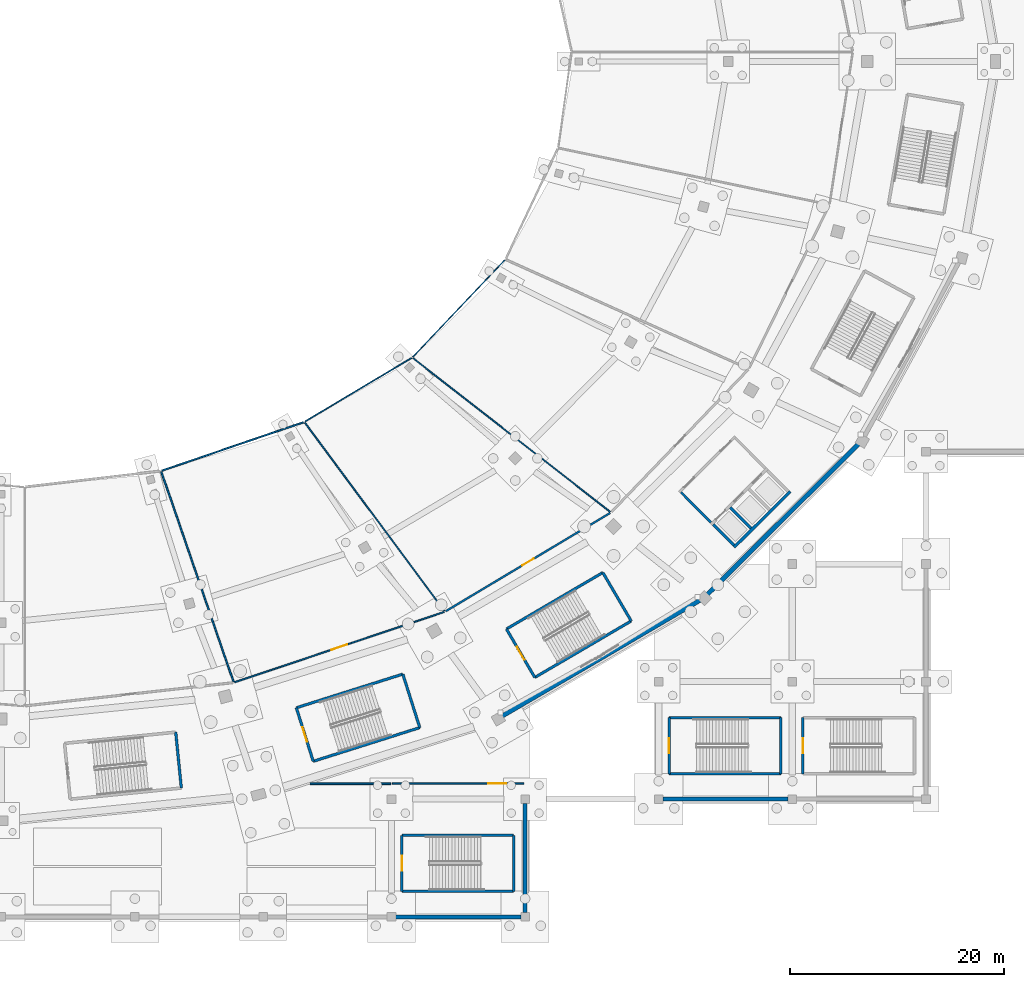
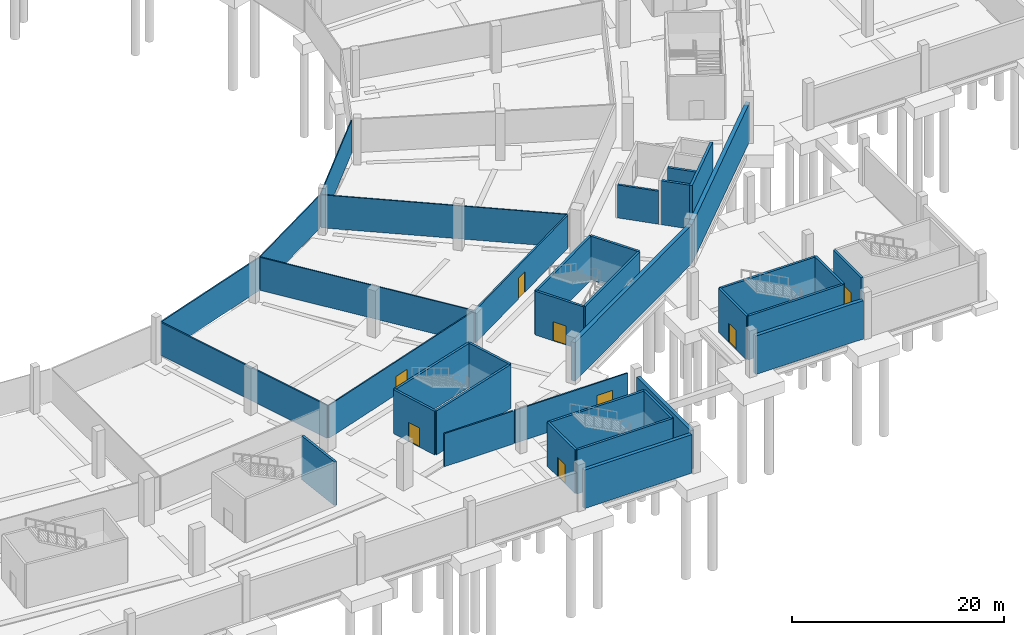
# One storey, part 39 of 74: 37 walls, 8 doors, 8 openings.
"""IFC4 building model written with IfcOpenShell, lengths in metres."""

from ifc_helpers import new_model, si_unit, direction, frame, frame_2d, origin, place, context, subcontext, project, spatial, rectangle, extrude, material, layer, layer_set, type_object, element, fill, save


model = new_model("IFC4")

# Units and contexts
model_context = context("Model", 3, precision=1e-05, world=origin(), true_north=direction((0.0, 1.0)))
body_context = subcontext(model_context, "Body", "Model", "MODEL_VIEW")
ifc_project = project(units=[si_unit("LENGTHUNIT", "METRE"), si_unit("AREAUNIT", "SQUARE_METRE"), si_unit("VOLUMEUNIT", "CUBIC_METRE"), si_unit("PLANEANGLEUNIT", "RADIAN"), si_unit("MASSUNIT", "GRAM", prefix="KILO")], contexts=[model_context])

# Site, building, storey
site_placement = place(None, origin())
site = spatial("IfcSite", under=ifc_project, at=site_placement, CompositionType="ELEMENT")
building_placement = place(site_placement, origin())
building = spatial("IfcBuilding", under=site, at=building_placement, Name="Zlatoyarsky Gate Stadium", CompositionType="ELEMENT")
storey_placement = place(building_placement, frame((0.0, 0.0, -5.39990234375)))
storey = spatial("IfcBuildingStorey", under=building, at=storey_placement, Name="B1", CompositionType="ELEMENT", Elevation=-5.39990234375)

# Walls
ifc_material_1 = material(Name="Anodised aluminium acoustic operable wall", Category="aluminium")
ifc_layer_1 = layer(ifc_material_1, 0.114990234375)
ifc_layer_set_1 = layer_set([ifc_layer_1], Name="Anodised aluminium acoustic operable wall")
wall_type_1 = type_object("IfcWallType", Name="ACOUSTIC OPERABLE SUITE WALL 115", PredefinedType="MOVABLE", material=ifc_layer_set_1)
wall_1_placement = place(storey_placement, frame((149.506103515625, 52.256591796875, 0.0), z_axis=(0.0, 0.0, 1.0), x_axis=(0.788723234395, -0.614748452235, 0.0)))
element("IfcWall", 1, at=wall_1_placement, inside=storey, type_object=wall_type_1, Name="B1 interior partition PRT-B1-IRD-21", PredefinedType="MOVABLE", context=body_context, shape_type="SweptSolid", body=[
    extrude(rectangle(XDim=23.403076171875, YDim=0.114990234375, at=frame_2d((11.70166015625, 0.0))), origin(), (0.0, 0.0, 1.0), 3.7998046875),
])
ifc_material_2 = material(Name="Moisture-resistant masonry partition", Category="masonry")
ifc_layer_2 = layer(ifc_material_2, 0.139892578125)
ifc_layer_set_2 = layer_set([ifc_layer_2], Name="Moisture-resistant masonry partition")
wall_type_2 = type_object("IfcWallType", Name="ATHLETE CHANGING BLOCK PARTITION 140", PredefinedType="PARTITIONING", material=ifc_layer_set_2)
wall_2_placement = place(storey_placement, frame((126.025634765625, 41.730712890625, 0.0), z_axis=(0.0, 0.0, 1.0), x_axis=(0.946404215371, 0.322984614382, 0.0)))
element("IfcWall", 2, at=wall_2_placement, inside=storey, type_object=wall_type_2, Name="B1 interior partition PRT-B1-IRN-19", PredefinedType="PARTITIONING", context=body_context, shape_type="SweptSolid", body=[
    extrude(rectangle(XDim=13.9990234375, YDim=0.139892578125, at=frame_2d((6.99951171875, 0.0))), origin(), (0.0, 0.0, 1.0), 3.7998046875),
])
ifc_material_3 = material(Name="Metal-stud gypsum partition", Category="gypsum")
ifc_layer_3 = layer(ifc_material_3, 0.14990234375)
ifc_layer_set_3 = layer_set([ifc_layer_3], Name="Metal-stud gypsum partition")
wall_type_3 = type_object("IfcWallType", Name="CONCOURSE CORRIDOR PARTITION 150", PredefinedType="PARTITIONING", material=ifc_layer_set_3)
wall_3_placement = place(storey_placement, frame((125.972900390625, 41.622802734375, 0.0), z_axis=(0.0, 0.0, 1.0), x_axis=(0.325102770546, -0.945678692043, 0.0)))
element("IfcWall", 3, at=wall_3_placement, inside=storey, type_object=wall_type_3, Name="B1 interior partition PRT-B1-IRD-19", PredefinedType="PARTITIONING", context=body_context, shape_type="SweptSolid", body=[
    extrude(rectangle(XDim=20.76416015625, YDim=0.14990234375, at=frame_2d((10.382080078125, 0.0))), origin(), (0.0, 0.0, 1.0), 3.7998046875),
])

# Wall, opening, door
wall_4_placement = place(storey_placement, frame((147.5849609375, 12.449951171875, 0.0), z_axis=(0.0, 0.0, 1.0), x_axis=(1.0, 0.0, 0.0)))
wall_4 = element("IfcWall", 4, at=wall_4_placement, inside=storey, type_object=wall_type_3, Name="B1 interior partition PRT-B1-V3SC-NE2B", PredefinedType="PARTITIONING", context=body_context, shape_type="SweptSolid", body=[
    extrude(rectangle(XDim=12.31005859375, YDim=0.14990234375, at=frame_2d((6.155029296875, 0.0))), origin(), (0.0, 0.0, 1.0), 3.7998046875),
])
opening_1_placement = place(wall_4_placement, frame((8.9599609375, 0.0, 0.0)))
opening_1 = element("IfcOpeningElement", 5, at=opening_1_placement, cuts=wall_4, Name="Opening D-B1-102", PredefinedType="OPENING", context=body_context, shape_type="SweptSolid", body=[
    extrude(rectangle(XDim=1.679931640625, YDim=2.3798828125, at=frame_2d((0.83984375, 1.18994140625))), frame((0.0, 0.0849609375, 0.0), z_axis=(0.0, -1.0, 0.0), x_axis=(1.0, 0.0, 0.0)), (0.0, 0.0, 1.0), 0.169921875),
])
ifc_material_4 = material(Name="Powder-coated steel fire door", Category="steel")
door_type_1 = type_object("IfcDoorType", Name="ACOUSTIC INTERIOR DOOR 1680X2380", OperationType="NOTDEFINED", PredefinedType="DOOR", material=ifc_material_4)
door_1_placement = place(opening_1_placement, origin())
door_1 = element("IfcDoor", 6, at=door_1_placement, inside=storey, type_object=door_type_1, Name="B1 room door D-B1-102", OperationType="SINGLE_SWING_RIGHT", OverallHeight=2.3798828125, OverallWidth=1.679931640625, PredefinedType="DOOR", context=body_context, shape_type="SweptSolid", body=[
    extrude(rectangle(XDim=1.679931640625, YDim=2.3798828125, at=frame_2d((0.83984375, 1.18994140625))), frame((0.0, 0.02490234375, 0.0), z_axis=(0.0, -1.0, 0.0), x_axis=(1.0, 0.0, 0.0)), (0.0, 0.0, 1.0), 0.050048828125),
])
fill(opening_1, door_1)

# Walls
ifc_material_5 = material(Name="Concrete C35/45", Category="concrete")
ifc_layer_4 = layer(ifc_material_5, 0.419921875)
ifc_layer_set_4 = layer_set([ifc_layer_4], Name="Concrete C35/45")
wall_type_4 = type_object("IfcWallType", Name="CONCRETE BASEMENT RETAINING WALL 420", PredefinedType="SOLIDWALL", material=ifc_layer_set_4)
wall_5_placement = place(storey_placement, frame((157.47509765625, 18.555419921875, 0.0), z_axis=(0.0, 0.0, 1.0), x_axis=(0.862881315776, 0.505406603523, 0.0)))
element("IfcWall", 7, at=wall_5_placement, inside=storey, type_object=wall_type_4, Name="B1 perimeter retaining wall sector 20", PredefinedType="SOLIDWALL", context=body_context, shape_type="SweptSolid", body=[
    extrude(rectangle(XDim=22.3095703125, YDim=0.419921875, at=frame_2d((11.15478515625, 0.0))), origin(), (0.0, 0.0, 1.0), 4.449951171875),
])
wall_6_placement = place(storey_placement, frame((176.7255859375, 29.830810546875, 0.0), z_axis=(0.0, 0.0, 1.0), x_axis=(0.708961581499, 0.705247102765, 0.0)))
element("IfcWall", 8, at=wall_6_placement, inside=storey, type_object=wall_type_4, Name="B1 perimeter retaining wall sector 21", PredefinedType="SOLIDWALL", context=body_context, shape_type="SweptSolid", body=[
    extrude(rectangle(XDim=20.83544921875, YDim=0.419921875, at=frame_2d((10.417724609375, 0.0))), origin(), (0.0, 0.0, 1.0), 4.449951171875),
])
ifc_material_6 = material(Name="Concrete C40/50", Category="concrete")
ifc_layer_5 = layer(ifc_material_6, 0.27001953125)
ifc_layer_set_5 = layer_set([ifc_layer_5], Name="Concrete C40/50")
wall_type_5 = type_object("IfcWallType", Name="CONCRETE LIFT SHAFT SHEAR WALL 270", PredefinedType="SHEAR", material=ifc_layer_set_5)
wall_7_placement = place(storey_placement, frame((179.547119140625, 34.556396484375, 0.0), z_axis=(0.0, 0.0, 1.0), x_axis=(0.708902567846, 0.705306422274, 0.0)))
element("IfcWall", 9, at=wall_7_placement, inside=storey, type_object=wall_type_5, Name="C4 B1 lift shaft rear wall", PredefinedType="SHEAR", context=body_context, shape_type="SweptSolid", body=[
    extrude(rectangle(XDim=7.39990234375, YDim=0.27001953125, at=frame_2d((3.699951171875, 0.0))), origin(), (0.0, 0.0, 1.0), 5.0498046875),
])
for number, where, z_axis, x_axis, name in (
    (10, (179.54052734375, 34.75439453125, 0.0), (0.0, 0.0, 1.0), (-0.705322518225, 0.708886553183, 0.0), "C4 B1 lift shaft left wall"),
    (11, (181.12841796875, 36.334228515625, 0.0), (0.0, 0.0, 1.0), (-0.705322518225, 0.708886553183, 0.0), "C4 B1 lift shaft divider 1"),
):
    element("IfcWall", number, at=place(storey_placement, frame(where, z_axis=z_axis, x_axis=x_axis)), inside=storey, type_object=wall_type_5, Name=name, PredefinedType="SHEAR", context=body_context, shape_type="SweptSolid", body=[
        extrude(rectangle(XDim=2.739990234375, YDim=0.27001953125, at=frame_2d((1.3701171875, 0.0))), origin(), (0.0, 0.0, 1.0), 5.0498046875),
    ])
ifc_layer_6 = layer(ifc_material_5, 0.3798828125)
ifc_layer_set_6 = layer_set([ifc_layer_6], Name="Concrete C35/45")
wall_type_6 = type_object("IfcWallType", Name="CONCRETE RAMP RETAINING WALL 380", PredefinedType="SOLIDWALL", material=ifc_layer_set_6)
wall_8_placement = place(storey_placement, frame((147.89697265625, 0.0, 0.0), z_axis=(0.0, 0.0, 1.0), x_axis=(1.0, 0.0, 0.0)))
element("IfcWall", 12, at=wall_8_placement, inside=storey, type_object=wall_type_6, Name="V3_SOUTH B1 S exterior wall", PredefinedType="SOLIDWALL", context=body_context, shape_type="SweptSolid", body=[
    extrude(rectangle(XDim=11.7060546875, YDim=0.3798828125, at=frame_2d((5.85302734375, 0.0))), origin(), (0.0, 0.0, 1.0), 4.429931640625),
])
wall_9_placement = place(storey_placement, frame((160.0, 0.39697265625, 0.0), z_axis=(0.0, 0.0, 1.0), x_axis=(0.0, 1.0, 0.0)))
element("IfcWall", 13, at=wall_9_placement, inside=storey, type_object=wall_type_6, Name="V3_SOUTH B1 E exterior wall", PredefinedType="SOLIDWALL", context=body_context, shape_type="SweptSolid", body=[
    extrude(rectangle(XDim=10.2060546875, YDim=0.3798828125, at=frame_2d((5.10302734375, 0.0))), origin(), (0.0, 0.0, 1.0), 4.429931640625),
])
wall_10_placement = place(storey_placement, frame((172.89697265625, 11.0, 0.0), z_axis=(0.0, 0.0, 1.0), x_axis=(1.0, 0.0, 0.0)))
element("IfcWall", 14, at=wall_10_placement, inside=storey, type_object=wall_type_6, Name="V6_SE B1 S exterior wall", PredefinedType="SOLIDWALL", context=body_context, shape_type="SweptSolid", body=[
    extrude(rectangle(XDim=11.7060546875, YDim=0.3798828125, at=frame_2d((5.85302734375, 0.0))), origin(), (0.0, 0.0, 1.0), 4.429931640625),
])
ifc_layer_7 = layer(ifc_material_6, 0.25)
ifc_layer_set_7 = layer_set([ifc_layer_7], Name="Concrete C40/50")
wall_type_7 = type_object("IfcWallType", Name="CONCRETE STAIR CORE SHEAR WALL 250", PredefinedType="SHEAR", material=ifc_layer_set_7)
wall_11_placement = place(storey_placement, frame((127.84423828125, 12.04248046875, 0.0), z_axis=(0.0, 0.0, 1.0), x_axis=(-0.100028593886, 0.994984562898, 0.0)))
element("IfcWall", 15, at=wall_11_placement, inside=storey, type_object=wall_type_7, Name="ST-10 B1 stair core far shear wall", PredefinedType="SHEAR", context=body_context, shape_type="SweptSolid", body=[
    extrude(rectangle(XDim=5.25, YDim=0.25, at=frame_2d((2.625, 0.0))), origin(), (0.0, 0.0, 1.0), 5.0498046875),
])

# Wall, opening, door
wall_12_placement = place(storey_placement, frame((158.25341796875, 26.916015625, 0.0), z_axis=(0.0, 0.0, 1.0), x_axis=(0.505460490551, -0.862849750821, 0.0)))
wall_12 = element("IfcWall", 16, at=wall_12_placement, inside=storey, type_object=wall_type_7, Name="ST-11 B1 stair core entrance shear wall", PredefinedType="SHEAR", context=body_context, shape_type="SweptSolid", body=[
    extrude(rectangle(XDim=5.249755859375, YDim=0.25, at=frame_2d((2.625, 0.0))), origin(), (0.0, 0.0, 1.0), 5.0498046875),
])
opening_2_placement = place(wall_12_placement, frame((1.925048828125, 0.0, 0.0)))
opening_2 = element("IfcOpeningElement", 17, at=opening_2_placement, cuts=wall_12, Name="Opening SD-ST-11-B1", PredefinedType="OPENING", context=body_context, shape_type="SweptSolid", body=[
    extrude(rectangle(XDim=1.39990234375, YDim=2.199951171875, at=frame_2d((0.699951171875, 1.10009765625))), frame((0.0, 0.135009765625, 0.0), z_axis=(0.0, -1.0, 0.0), x_axis=(1.0, 0.0, 0.0)), (0.0, 0.0, 1.0), 0.27001953125),
])
door_type_2 = type_object("IfcDoorType", Name="STAIR CORE FIRE EXIT DOOR 1400X2200", OperationType="NOTDEFINED", PredefinedType="DOOR", material=ifc_material_4)
door_2_placement = place(opening_2_placement, frame((1.39990234375, 0.0, 0.0), z_axis=(0.0, 0.0, 1.0), x_axis=(-1.0, 0.0, 0.0)))
door_2 = element("IfcDoor", 18, at=door_2_placement, inside=storey, type_object=door_type_2, Name="ST-11 B1 stair fire door", OperationType="SINGLE_SWING_LEFT", OverallHeight=2.199951171875, OverallWidth=1.39990234375, PredefinedType="DOOR", context=body_context, shape_type="SweptSolid", body=[
    extrude(rectangle(XDim=1.39990234375, YDim=2.199951171875, at=frame_2d((0.699951171875, 1.10009765625))), frame((0.0, 0.02490234375, 0.0), z_axis=(0.0, -1.0, 0.0), x_axis=(1.0, 0.0, 0.0)), (0.0, 0.0, 1.0), 0.050048828125),
])
fill(opening_2, door_2)

# Walls
wall_13_placement = place(storey_placement, frame((160.906982421875, 22.38623046875, 0.0), z_axis=(0.0, 0.0, 1.0), x_axis=(0.862854686184, 0.505452065513, 0.0)))
element("IfcWall", 19, at=wall_13_placement, inside=storey, type_object=wall_type_7, Name="ST-11 B1 stair core left shear wall", PredefinedType="SHEAR", context=body_context, shape_type="SweptSolid", body=[
    extrude(rectangle(XDim=10.449951171875, YDim=0.25, at=frame_2d((5.22509765625, 0.0))), origin(), (0.0, 0.0, 1.0), 5.0498046875),
])
wall_14_placement = place(storey_placement, frame((169.923828125, 27.668212890625, 0.0), z_axis=(0.0, 0.0, 1.0), x_axis=(-0.505474830399, 0.862841350327, 0.0)))
element("IfcWall", 20, at=wall_14_placement, inside=storey, type_object=wall_type_7, Name="ST-11 B1 stair core far shear wall", PredefinedType="SHEAR", context=body_context, shape_type="SweptSolid", body=[
    extrude(rectangle(XDim=5.250244140625, YDim=0.25, at=frame_2d((2.625, 0.0))), origin(), (0.0, 0.0, 1.0), 5.0498046875),
])
wall_15_placement = place(storey_placement, frame((167.27001953125, 32.1982421875, 0.0), z_axis=(0.0, 0.0, 1.0), x_axis=(-0.862838527648, -0.505479648657, 0.0)))
element("IfcWall", 21, at=wall_15_placement, inside=storey, type_object=wall_type_7, Name="ST-11 B1 stair core right shear wall", PredefinedType="SHEAR", context=body_context, shape_type="SweptSolid", body=[
    extrude(rectangle(XDim=10.449951171875, YDim=0.25, at=frame_2d((5.22509765625, 0.0))), origin(), (0.0, 0.0, 1.0), 5.0498046875),
])

# Wall, opening, door
wall_16_placement = place(storey_placement, frame((138.599609375, 19.5478515625, 0.0), z_axis=(0.0, 0.0, 1.0), x_axis=(0.30152749866, -0.953457480726, 0.0)))
wall_16 = element("IfcWall", 22, at=wall_16_placement, inside=storey, type_object=wall_type_7, Name="ST-16 B1 stair core entrance shear wall", PredefinedType="SHEAR", context=body_context, shape_type="SweptSolid", body=[
    extrude(rectangle(XDim=5.25, YDim=0.25, at=frame_2d((2.625, 0.0))), origin(), (0.0, 0.0, 1.0), 5.0498046875),
])
opening_3_placement = place(wall_16_placement, frame((1.925048828125, 0.0, 0.0)))
opening_3 = element("IfcOpeningElement", 23, at=opening_3_placement, cuts=wall_16, Name="Opening SD-ST-16-B1", PredefinedType="OPENING", context=body_context, shape_type="SweptSolid", body=[
    extrude(rectangle(XDim=1.39990234375, YDim=2.199951171875, at=frame_2d((0.699951171875, 1.10009765625))), frame((0.0, 0.135009765625, 0.0), z_axis=(0.0, -1.0, 0.0), x_axis=(1.0, 0.0, 0.0)), (0.0, 0.0, 1.0), 0.27001953125),
])
door_3_placement = place(opening_3_placement, frame((1.39990234375, 0.0, 0.0), z_axis=(0.0, 0.0, 1.0), x_axis=(-1.0, 0.0, 0.0)))
door_3 = element("IfcDoor", 24, at=door_3_placement, inside=storey, type_object=door_type_2, Name="ST-16 B1 stair fire door", OperationType="SINGLE_SWING_LEFT", OverallHeight=2.199951171875, OverallWidth=1.39990234375, PredefinedType="DOOR", context=body_context, shape_type="SweptSolid", body=[
    extrude(rectangle(XDim=1.39990234375, YDim=2.199951171875, at=frame_2d((0.699951171875, 1.10009765625))), frame((0.0, 0.02490234375, 0.0), z_axis=(0.0, -1.0, 0.0), x_axis=(1.0, 0.0, 0.0)), (0.0, 0.0, 1.0), 0.050048828125),
])
fill(opening_3, door_3)

# Walls
wall_17_placement = place(storey_placement, frame((140.1826171875, 14.542236328125, 0.0), z_axis=(0.0, 0.0, 1.0), x_axis=(0.953459710305, 0.301520448438, 0.0)))
element("IfcWall", 25, at=wall_17_placement, inside=storey, type_object=wall_type_7, Name="ST-16 B1 stair core left shear wall", PredefinedType="SHEAR", context=body_context, shape_type="SweptSolid", body=[
    extrude(rectangle(XDim=10.449951171875, YDim=0.25, at=frame_2d((5.22509765625, 0.0))), origin(), (0.0, 0.0, 1.0), 5.0498046875),
])
wall_18_placement = place(storey_placement, frame((150.146240234375, 17.693115234375, 0.0), z_axis=(0.0, 0.0, 1.0), x_axis=(-0.30152749866, 0.953457480726, 0.0)))
element("IfcWall", 26, at=wall_18_placement, inside=storey, type_object=wall_type_7, Name="ST-16 B1 stair core far shear wall", PredefinedType="SHEAR", context=body_context, shape_type="SweptSolid", body=[
    extrude(rectangle(XDim=5.25, YDim=0.25, at=frame_2d((2.625, 0.0))), origin(), (0.0, 0.0, 1.0), 5.0498046875),
])
wall_19_placement = place(storey_placement, frame((148.563232421875, 22.69873046875, 0.0), z_axis=(0.0, 0.0, 1.0), x_axis=(-0.953459710305, -0.301520448438, 0.0)))
element("IfcWall", 27, at=wall_19_placement, inside=storey, type_object=wall_type_7, Name="ST-16 B1 stair core right shear wall", PredefinedType="SHEAR", context=body_context, shape_type="SweptSolid", body=[
    extrude(rectangle(XDim=10.449951171875, YDim=0.25, at=frame_2d((5.22509765625, 0.0))), origin(), (0.0, 0.0, 1.0), 5.0498046875),
])

# Wall, opening, door
wall_20_placement = place(storey_placement, frame((173.47509765625, 18.625, 0.0), z_axis=(0.0, 0.0, 1.0), x_axis=(0.0, -1.0, 0.0)))
wall_20 = element("IfcWall", 28, at=wall_20_placement, inside=storey, type_object=wall_type_7, Name="ST-23 B1 stair core entrance shear wall", PredefinedType="SHEAR", context=body_context, shape_type="SweptSolid", body=[
    extrude(rectangle(XDim=5.25, YDim=0.25, at=frame_2d((2.625, 0.0))), origin(), (0.0, 0.0, 1.0), 5.0498046875),
])
opening_4_placement = place(wall_20_placement, frame((1.925048828125, 0.0, 0.0)))
opening_4 = element("IfcOpeningElement", 29, at=opening_4_placement, cuts=wall_20, Name="Opening SD-ST-23-B1", PredefinedType="OPENING", context=body_context, shape_type="SweptSolid", body=[
    extrude(rectangle(XDim=1.39990234375, YDim=2.199951171875, at=frame_2d((0.699951171875, 1.10009765625))), frame((0.0, 0.135009765625, 0.0), z_axis=(0.0, -1.0, 0.0), x_axis=(1.0, 0.0, 0.0)), (0.0, 0.0, 1.0), 0.27001953125),
])
door_4_placement = place(opening_4_placement, frame((1.39990234375, 0.0, 0.0), z_axis=(0.0, 0.0, 1.0), x_axis=(-1.0, 0.0, 0.0)))
door_4 = element("IfcDoor", 30, at=door_4_placement, inside=storey, type_object=door_type_2, Name="ST-23 B1 stair fire door", OperationType="SINGLE_SWING_LEFT", OverallHeight=2.199951171875, OverallWidth=1.39990234375, PredefinedType="DOOR", context=body_context, shape_type="SweptSolid", body=[
    extrude(rectangle(XDim=1.39990234375, YDim=2.199951171875, at=frame_2d((0.699951171875, 1.10009765625))), frame((0.0, 0.02490234375, 0.0), z_axis=(0.0, -1.0, 0.0), x_axis=(1.0, 0.0, 0.0)), (0.0, 0.0, 1.0), 0.050048828125),
])
fill(opening_4, door_4)

# Walls
wall_21_placement = place(storey_placement, frame((173.47509765625, 13.375, 0.0), z_axis=(0.0, 0.0, 1.0), x_axis=(1.0, 0.0, 0.0)))
element("IfcWall", 31, at=wall_21_placement, inside=storey, type_object=wall_type_7, Name="ST-23 B1 stair core left shear wall", PredefinedType="SHEAR", context=body_context, shape_type="SweptSolid", body=[
    extrude(rectangle(XDim=10.449951171875, YDim=0.25, at=frame_2d((5.22509765625, 0.0))), origin(), (0.0, 0.0, 1.0), 5.0498046875),
])
wall_22_placement = place(storey_placement, frame((183.925048828125, 13.375, 0.0), z_axis=(0.0, 0.0, 1.0), x_axis=(0.0, 1.0, 0.0)))
element("IfcWall", 32, at=wall_22_placement, inside=storey, type_object=wall_type_7, Name="ST-23 B1 stair core far shear wall", PredefinedType="SHEAR", context=body_context, shape_type="SweptSolid", body=[
    extrude(rectangle(XDim=5.25, YDim=0.25, at=frame_2d((2.625, 0.0))), origin(), (0.0, 0.0, 1.0), 5.0498046875),
])
wall_23_placement = place(storey_placement, frame((183.925048828125, 18.625, 0.0), z_axis=(0.0, 0.0, 1.0), x_axis=(-1.0, 0.0, 0.0)))
element("IfcWall", 33, at=wall_23_placement, inside=storey, type_object=wall_type_7, Name="ST-23 B1 stair core right shear wall", PredefinedType="SHEAR", context=body_context, shape_type="SweptSolid", body=[
    extrude(rectangle(XDim=10.449951171875, YDim=0.25, at=frame_2d((5.22509765625, 0.0))), origin(), (0.0, 0.0, 1.0), 5.0498046875),
])

# Wall, opening, door
wall_24_placement = place(storey_placement, frame((185.97509765625, 18.625, 0.0), z_axis=(0.0, 0.0, 1.0), x_axis=(0.0, -1.0, 0.0)))
wall_24 = element("IfcWall", 34, at=wall_24_placement, inside=storey, type_object=wall_type_7, Name="ST-24 B1 stair core entrance shear wall", PredefinedType="SHEAR", context=body_context, shape_type="SweptSolid", body=[
    extrude(rectangle(XDim=5.25, YDim=0.25, at=frame_2d((2.625, 0.0))), origin(), (0.0, 0.0, 1.0), 5.0498046875),
])
opening_5_placement = place(wall_24_placement, frame((1.925048828125, 0.0, 0.0)))
opening_5 = element("IfcOpeningElement", 35, at=opening_5_placement, cuts=wall_24, Name="Opening SD-ST-24-B1", PredefinedType="OPENING", context=body_context, shape_type="SweptSolid", body=[
    extrude(rectangle(XDim=1.39990234375, YDim=2.199951171875, at=frame_2d((0.699951171875, 1.10009765625))), frame((0.0, 0.135009765625, 0.0), z_axis=(0.0, -1.0, 0.0), x_axis=(1.0, 0.0, 0.0)), (0.0, 0.0, 1.0), 0.27001953125),
])
door_5_placement = place(opening_5_placement, frame((1.39990234375, 0.0, 0.0), z_axis=(0.0, 0.0, 1.0), x_axis=(-1.0, 0.0, 0.0)))
door_5 = element("IfcDoor", 36, at=door_5_placement, inside=storey, type_object=door_type_2, Name="ST-24 B1 stair fire door", OperationType="SINGLE_SWING_RIGHT", OverallHeight=2.199951171875, OverallWidth=1.39990234375, PredefinedType="DOOR", context=body_context, shape_type="SweptSolid", body=[
    extrude(rectangle(XDim=1.39990234375, YDim=2.199951171875, at=frame_2d((0.699951171875, 1.10009765625))), frame((0.0, 0.02490234375, 0.0), z_axis=(0.0, -1.0, 0.0), x_axis=(1.0, 0.0, 0.0)), (0.0, 0.0, 1.0), 0.050048828125),
])
fill(opening_5, door_5)

wall_25_placement = place(storey_placement, frame((148.47509765625, 7.625, 0.0), z_axis=(0.0, 0.0, 1.0), x_axis=(0.0, -1.0, 0.0)))
wall_25 = element("IfcWall", 37, at=wall_25_placement, inside=storey, type_object=wall_type_7, Name="ST-30 B1 stair core entrance shear wall", PredefinedType="SHEAR", context=body_context, shape_type="SweptSolid", body=[
    extrude(rectangle(XDim=5.25, YDim=0.25, at=frame_2d((2.625, 0.0))), origin(), (0.0, 0.0, 1.0), 5.0498046875),
])
opening_6_placement = place(wall_25_placement, frame((1.925048828125, 0.0, 0.0)))
opening_6 = element("IfcOpeningElement", 38, at=opening_6_placement, cuts=wall_25, Name="Opening SD-ST-30-B1", PredefinedType="OPENING", context=body_context, shape_type="SweptSolid", body=[
    extrude(rectangle(XDim=1.39990234375, YDim=2.199951171875, at=frame_2d((0.699951171875, 1.10009765625))), frame((0.0, 0.135009765625, 0.0), z_axis=(0.0, -1.0, 0.0), x_axis=(1.0, 0.0, 0.0)), (0.0, 0.0, 1.0), 0.27001953125),
])
door_6_placement = place(opening_6_placement, frame((1.39990234375, 0.0, 0.0), z_axis=(0.0, 0.0, 1.0), x_axis=(-1.0, 0.0, 0.0)))
door_6 = element("IfcDoor", 39, at=door_6_placement, inside=storey, type_object=door_type_2, Name="ST-30 B1 stair fire door", OperationType="SINGLE_SWING_LEFT", OverallHeight=2.199951171875, OverallWidth=1.39990234375, PredefinedType="DOOR", context=body_context, shape_type="SweptSolid", body=[
    extrude(rectangle(XDim=1.39990234375, YDim=2.199951171875, at=frame_2d((0.699951171875, 1.10009765625))), frame((0.0, 0.02490234375, 0.0), z_axis=(0.0, -1.0, 0.0), x_axis=(1.0, 0.0, 0.0)), (0.0, 0.0, 1.0), 0.050048828125),
])
fill(opening_6, door_6)

# Walls
wall_26_placement = place(storey_placement, frame((148.47509765625, 2.375, 0.0), z_axis=(0.0, 0.0, 1.0), x_axis=(1.0, 0.0, 0.0)))
element("IfcWall", 40, at=wall_26_placement, inside=storey, type_object=wall_type_7, Name="ST-30 B1 stair core left shear wall", PredefinedType="SHEAR", context=body_context, shape_type="SweptSolid", body=[
    extrude(rectangle(XDim=10.449951171875, YDim=0.25, at=frame_2d((5.22509765625, 0.0))), origin(), (0.0, 0.0, 1.0), 5.0498046875),
])
wall_27_placement = place(storey_placement, frame((158.925048828125, 2.375, 0.0), z_axis=(0.0, 0.0, 1.0), x_axis=(0.0, 1.0, 0.0)))
element("IfcWall", 41, at=wall_27_placement, inside=storey, type_object=wall_type_7, Name="ST-30 B1 stair core far shear wall", PredefinedType="SHEAR", context=body_context, shape_type="SweptSolid", body=[
    extrude(rectangle(XDim=5.25, YDim=0.25, at=frame_2d((2.625, 0.0))), origin(), (0.0, 0.0, 1.0), 5.0498046875),
])
wall_28_placement = place(storey_placement, frame((158.925048828125, 7.625, 0.0), z_axis=(0.0, 0.0, 1.0), x_axis=(-1.0, 0.0, 0.0)))
element("IfcWall", 42, at=wall_28_placement, inside=storey, type_object=wall_type_7, Name="ST-30 B1 stair core right shear wall", PredefinedType="SHEAR", context=body_context, shape_type="SweptSolid", body=[
    extrude(rectangle(XDim=10.449951171875, YDim=0.25, at=frame_2d((5.22509765625, 0.0))), origin(), (0.0, 0.0, 1.0), 5.0498046875),
])
ifc_material_7 = material(Name="Autoclaved aerated concrete masonry EI 120", Category="masonry")
ifc_layer_8 = layer(ifc_material_7, 0.219970703125)
ifc_layer_set_8 = layer_set([ifc_layer_8], Name="Autoclaved aerated concrete masonry EI 120")
wall_type_8 = type_object("IfcWallType", Name="FIREFIGHTING LOBBY RATED WALL 220", PredefinedType="PARTITIONING", material=ifc_layer_set_8)
wall_29_placement = place(storey_placement, frame((177.378662109375, 36.8916015625, 0.0), z_axis=(0.0, 0.0, 1.0), x_axis=(-0.705294916294, 0.708914015273, 0.0)))
element("IfcWall", 43, at=wall_29_placement, inside=storey, type_object=wall_type_8, Name="C4 B1 firefighting lobby left wall", PredefinedType="PARTITIONING", context=body_context, shape_type="SweptSolid", body=[
    extrude(rectangle(XDim=3.97998046875, YDim=0.219970703125, at=frame_2d((1.989990234375, 0.0))), origin(), (0.0, 0.0, 1.0), 3.7998046875),
])
ifc_material_8 = material(Name="Timber-veneered acoustic operable partition", Category="wood")
ifc_layer_9 = layer(ifc_material_8, 0.094970703125)
ifc_layer_set_9 = layer_set([ifc_layer_9], Name="Timber-veneered acoustic operable partition")
wall_type_9 = type_object("IfcWallType", Name="FOLDING BANQUET SALON WALL 95", PredefinedType="MOVABLE", material=ifc_layer_set_9)
wall_30_placement = place(storey_placement, frame((149.49755859375, 52.37060546875, 0.0), z_axis=(0.0, 0.0, 1.0), x_axis=(0.688671360331, 0.725073622096, 0.0)))
element("IfcWall", 44, at=wall_30_placement, inside=storey, type_object=wall_type_9, Name="B1 interior partition PRT-B1-IRN-21", PredefinedType="MOVABLE", context=body_context, shape_type="SweptSolid", body=[
    extrude(rectangle(XDim=12.488037109375, YDim=0.094970703125, at=frame_2d((6.244140625, 0.0))), origin(), (0.0, 0.0, 1.0), 3.7998046875),
])
ifc_material_9 = material(Name="Acoustic metal-stud gypsum partition", Category="gypsum")
ifc_layer_10 = layer(ifc_material_9, 0.159912109375)
ifc_layer_set_10 = layer_set([ifc_layer_10], Name="Acoustic metal-stud gypsum partition")
wall_type_10 = type_object("IfcWallType", Name="HOSPITALITY SUITE PARTITION 160", PredefinedType="PARTITIONING", material=ifc_layer_set_10)
wall_31_placement = place(storey_placement, frame((139.897705078125, 12.449951171875, 0.0), z_axis=(0.0, 0.0, 1.0), x_axis=(1.0, 0.0, 0.0)))
element("IfcWall", 45, at=wall_31_placement, inside=storey, type_object=wall_type_10, Name="B1 interior partition PRT-B1-V3SC-NE2A", PredefinedType="PARTITIONING", context=body_context, shape_type="SweptSolid", body=[
    extrude(rectangle(XDim=7.517333984375, YDim=0.159912109375, at=frame_2d((3.7587890625, 0.0))), origin(), (0.0, 0.0, 1.0), 3.7998046875),
])
ifc_layer_11 = layer(ifc_material_3, 0.110107421875)
ifc_layer_set_11 = layer_set([ifc_layer_11], Name="Metal-stud gypsum partition")
wall_type_11 = type_object("IfcWallType", Name="KIOSK SERVICE PARTITION 110", PredefinedType="PARTITIONING", material=ifc_layer_set_11)
wall_32_placement = place(storey_placement, frame((139.427734375, 46.3232421875, 0.0), z_axis=(0.0, 0.0, 1.0), x_axis=(0.858284435392, 0.513174266662, 0.0)))
element("IfcWall", 46, at=wall_32_placement, inside=storey, type_object=wall_type_11, Name="B1 interior partition PRT-B1-IRN-20", PredefinedType="PARTITIONING", context=body_context, shape_type="SweptSolid", body=[
    extrude(rectangle(XDim=11.5791015625, YDim=0.110107421875, at=frame_2d((5.78955078125, 0.0))), origin(), (0.0, 0.0, 1.0), 3.7998046875),
])
ifc_layer_12 = layer(ifc_material_3, 0.1201171875)
ifc_layer_set_12 = layer_set([ifc_layer_12], Name="Metal-stud gypsum partition")
wall_type_12 = type_object("IfcWallType", Name="OFFICE AND PRESS PARTITION 120", PredefinedType="PARTITIONING", material=ifc_layer_set_12)
wall_33_placement = place(storey_placement, frame((139.4052734375, 46.211181640625, 0.0), z_axis=(0.0, 0.0, 1.0), x_axis=(0.595252863725, -0.803538442283, 0.0)))
element("IfcWall", 47, at=wall_33_placement, inside=storey, type_object=wall_type_12, Name="B1 interior partition PRT-B1-IRD-20", PredefinedType="PARTITIONING", context=body_context, shape_type="SweptSolid", body=[
    extrude(rectangle(XDim=21.912109375, YDim=0.1201171875, at=frame_2d((10.9560546875, 0.0))), origin(), (0.0, 0.0, 1.0), 3.7998046875),
])

# Wall, opening, door
ifc_material_10 = material(Name="Gypsum-clad mineral wool fire partition", Category="gypsum")
ifc_layer_13 = layer(ifc_material_10, 0.179931640625)
ifc_layer_set_13 = layer_set([ifc_layer_13], Name="Gypsum-clad mineral wool fire partition")
wall_type_13 = type_object("IfcWallType", Name="PLANT AND KITCHEN RATED WALL 180", PredefinedType="PARTITIONING", material=ifc_layer_set_13)
wall_34_placement = place(storey_placement, frame((152.572021484375, 28.579345703125, 0.0), z_axis=(0.0, 0.0, 1.0), x_axis=(0.858419328877, 0.512948589831, 0.0)))
wall_34 = element("IfcWall", 48, at=wall_34_placement, inside=storey, type_object=wall_type_13, Name="B1 interior partition PRT-B1-ICC-20", PredefinedType="PARTITIONING", context=body_context, shape_type="SweptSolid", body=[
    extrude(rectangle(XDim=17.924560546875, YDim=0.179931640625, at=frame_2d((8.96240234375, 0.0))), origin(), (0.0, 0.0, 1.0), 3.7998046875),
])
opening_7_placement = place(wall_34_placement, frame((8.34228515625, 0.0, 0.0)))
opening_7 = element("IfcOpeningElement", 49, at=opening_7_placement, cuts=wall_34, Name="Opening D-B1-077", PredefinedType="OPENING", context=body_context, shape_type="SweptSolid", body=[
    extrude(rectangle(XDim=1.239990234375, YDim=2.3798828125, at=frame_2d((0.6201171875, 1.18994140625))), frame((0.0, 0.099853515625, 0.0), z_axis=(0.0, -1.0, 0.0), x_axis=(1.0, 0.0, 0.0)), (0.0, 0.0, 1.0), 0.199951171875),
])
door_type_3 = type_object("IfcDoorType", Name="ACOUSTIC INTERIOR DOOR 1240X2380", OperationType="NOTDEFINED", PredefinedType="DOOR", material=ifc_material_4)
door_7_placement = place(opening_7_placement, origin())
door_7 = element("IfcDoor", 50, at=door_7_placement, inside=storey, type_object=door_type_3, Name="B1 room door D-B1-077", OperationType="SINGLE_SWING_RIGHT", OverallHeight=2.3798828125, OverallWidth=1.239990234375, PredefinedType="DOOR", context=body_context, shape_type="SweptSolid", body=[
    extrude(rectangle(XDim=1.239990234375, YDim=2.3798828125, at=frame_2d((0.6201171875, 1.18994140625))), frame((0.0, 0.02490234375, 0.0), z_axis=(0.0, -1.0, 0.0), x_axis=(1.0, 0.0, 0.0)), (0.0, 0.0, 1.0), 0.050048828125),
])
fill(opening_7, door_7)

ifc_material_11 = material(Name="Moisture-resistant tile-backed partition", Category="gypsum")
ifc_layer_14 = layer(ifc_material_11, 0.1298828125)
ifc_layer_set_14 = layer_set([ifc_layer_14], Name="Moisture-resistant tile-backed partition")
wall_type_14 = type_object("IfcWallType", Name="SANITARY WET ROOM PARTITION 130", PredefinedType="PARTITIONING", material=ifc_layer_set_14)
wall_35_placement = place(storey_placement, frame((132.83154296875, 21.93310546875, 0.0), z_axis=(0.0, 0.0, 1.0), x_axis=(0.948002856897, 0.318261815671, 0.0)))
wall_35 = element("IfcWall", 51, at=wall_35_placement, inside=storey, type_object=wall_type_14, Name="B1 interior partition PRT-B1-ICC-19", PredefinedType="PARTITIONING", context=body_context, shape_type="SweptSolid", body=[
    extrude(rectangle(XDim=20.6611328125, YDim=0.1298828125, at=frame_2d((10.33056640625, 0.0))), origin(), (0.0, 0.0, 1.0), 3.7998046875),
])
opening_8_placement = place(wall_35_placement, frame((9.550537109375, 0.0, 0.0)))
opening_8 = element("IfcOpeningElement", 52, at=opening_8_placement, cuts=wall_35, Name="Opening D-B1-074", PredefinedType="OPENING", context=body_context, shape_type="SweptSolid", body=[
    extrude(rectangle(XDim=1.56005859375, YDim=2.10009765625, at=frame_2d((0.780029296875, 1.050048828125))), frame((0.0, 0.074951171875, 0.0), z_axis=(0.0, -1.0, 0.0), x_axis=(1.0, 0.0, 0.0)), (0.0, 0.0, 1.0), 0.14990234375),
])
ifc_material_12 = material(Name="Solid-core oak veneer acoustic door", Category="wood")
door_type_4 = type_object("IfcDoorType", Name="ACOUSTIC INTERIOR DOOR 1560X2100", OperationType="NOTDEFINED", PredefinedType="DOOR", material=ifc_material_12)
door_8_placement = place(opening_8_placement, origin())
door_8 = element("IfcDoor", 53, at=door_8_placement, inside=storey, type_object=door_type_4, Name="B1 room door D-B1-074", OperationType="SINGLE_SWING_LEFT", OverallHeight=2.10009765625, OverallWidth=1.56005859375, PredefinedType="DOOR", context=body_context, shape_type="SweptSolid", body=[
    extrude(rectangle(XDim=1.56005859375, YDim=2.10009765625, at=frame_2d((0.780029296875, 1.050048828125))), frame((0.0, 0.02490234375, 0.0), z_axis=(0.0, -1.0, 0.0), x_axis=(1.0, 0.0, 0.0)), (0.0, 0.0, 1.0), 0.050048828125),
])
fill(opening_8, door_8)

save(model, "model.ifc")
